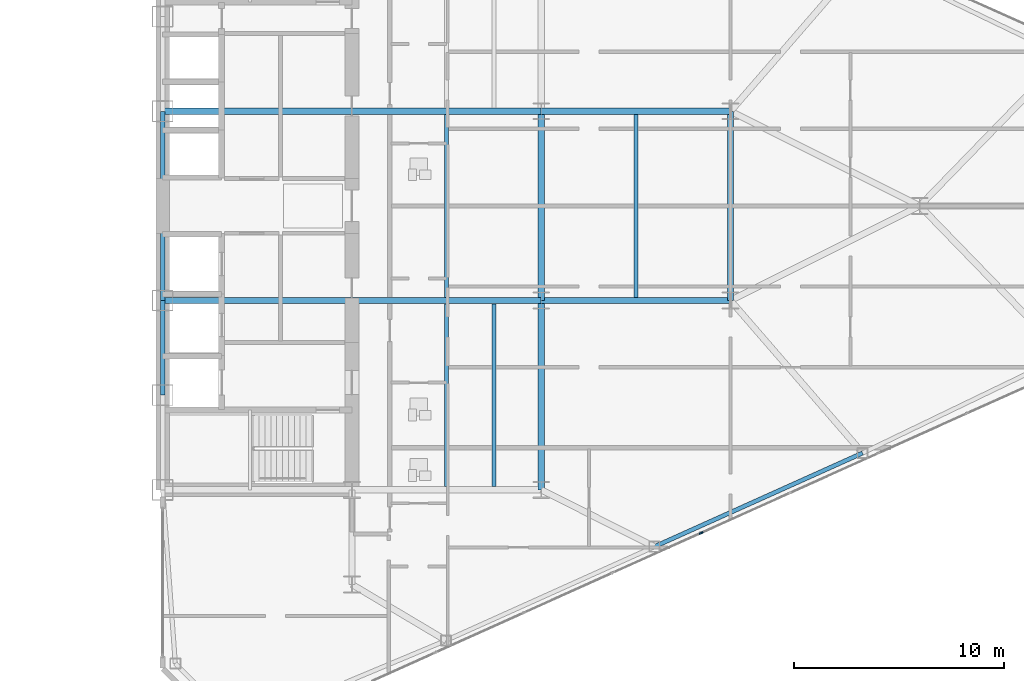
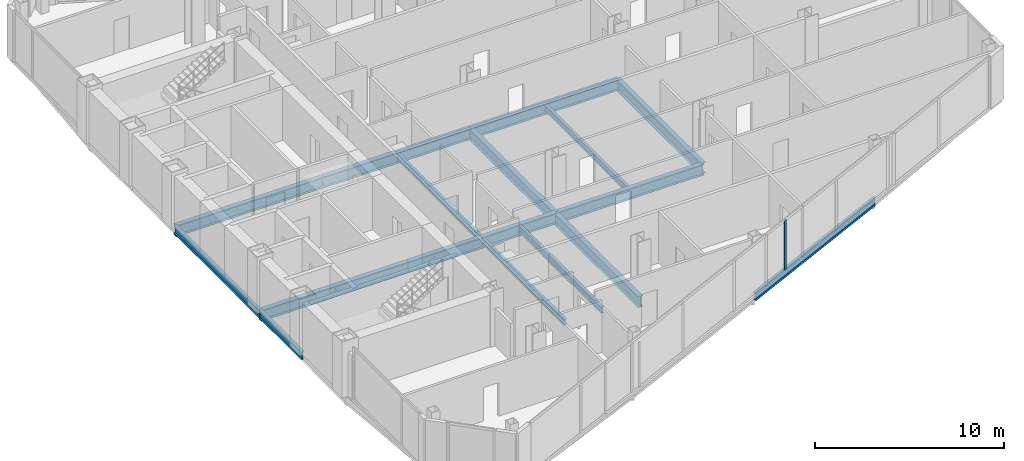
# One storey, part 12 of 27: 16 beams, 1 member, 1 element without a shape of its own.
"""IFC4 building model written with IfcOpenShell, lengths in metres."""

import ifcopenshell
import ifcopenshell.guid

model = None  # the IFC model being written
_history = None  # IfcOwnerHistory: only IFC2X3 demands one
_inside = {}  # id of a spatial element -> (the spatial element, [elements in it])
_under = {}  # id of a project, library or spatial element -> (it, [spatial elements below it])
_declared = {}  # id of a project -> (the project, [libraries it declares])
_typed = {}  # id of a type object -> (the type object, [elements of that type])
_made_of = {}  # id of a material, layer set ... -> (it, [elements and type objects made of it])


def new_model(schema):
    """Start an empty IFC model of exactly this schema.

    Asked for "IFC4X3", IfcOpenShell would pick the latest addendum, in which some entities
    have other attributes; the version numbers below select the first issue.
    IFC2X3 requires an IfcOwnerHistory on every rooted entity: one is made here for all.
    """
    global model, _history
    if schema == "IFC4X3":
        model = ifcopenshell.file(schema_version=(4, 3, 0, 0))
    else:
        model = ifcopenshell.file(schema=schema)
    _inside.clear()
    _under.clear()
    _declared.clear()
    _typed.clear()
    _made_of.clear()
    _history = None
    if model.schema == "IFC2X3":
        org = make("IfcOrganization", Name="unknown")
        user = make(
            "IfcPersonAndOrganization",
            ThePerson=make("IfcPerson", FamilyName="unknown"),
            TheOrganization=org,
        )
        app = make(
            "IfcApplication",
            ApplicationDeveloper=org,
            Version="unknown",
            ApplicationFullName="unknown",
            ApplicationIdentifier="unknown",
        )
        _history = make(
            "IfcOwnerHistory",
            OwningUser=user,
            OwningApplication=app,
            ChangeAction="ADDED",
            CreationDate=0,
        )
    return model


def make(cls, **values):
    """One entity of the class cls with the attributes given. An attribute that is None is left unset."""
    return model.create_entity(
        cls, **{name: value for name, value in values.items() if value is not None}
    )


def rooted(cls, **values):
    """An entity with a GlobalId (a new one), such as an element, a storey or a relation."""
    return make(cls, GlobalId=ifcopenshell.guid.new(), OwnerHistory=_history, **values)


def si_unit(unit_type, name, prefix=None):
    """IfcSIUnit, for example si_unit("LENGTHUNIT", "METRE", prefix="MILLI")."""
    return make("IfcSIUnit", UnitType=unit_type, Prefix=prefix, Name=name)


def assignment(units):
    """IfcUnitAssignment: the units of a project."""
    return None if units is None else make("IfcUnitAssignment", Units=units)


def point(xyz):
    """IfcCartesianPoint."""
    return None if xyz is None else make("IfcCartesianPoint", Coordinates=xyz)


def direction(xyz):
    """IfcDirection."""
    return None if xyz is None else make("IfcDirection", DirectionRatios=xyz)


def frame(location, z_axis=None, x_axis=None):
    """IfcAxis2Placement3D, a coordinate frame: its origin and axes. An axis left out is left unset."""
    return make(
        "IfcAxis2Placement3D",
        Location=point(location),
        Axis=direction(z_axis),
        RefDirection=direction(x_axis),
    )


def frame_2d(location, x_axis=None):
    """IfcAxis2Placement2D, a coordinate frame in the plane: its origin and x axis."""
    return make(
        "IfcAxis2Placement2D", Location=point(location), RefDirection=direction(x_axis)
    )


def origin():
    """The frame at (0, 0, 0) with its axes left unset."""
    return frame((0.0, 0.0, 0.0))


def origin_2d():
    """The frame at (0, 0) in the plane with its x axis left unset."""
    return frame_2d((0.0, 0.0))


def place(relative_to, where):
    """IfcLocalPlacement: puts the frame where relative to a parent placement (None: the world)."""
    return make(
        "IfcLocalPlacement", PlacementRelTo=relative_to, RelativePlacement=where
    )


def context(
    kind, dimensions, precision=None, world=None, true_north=None, identifier=None
):
    """IfcGeometricRepresentationContext, for example the 3D "Model" context."""
    return make(
        "IfcGeometricRepresentationContext",
        ContextIdentifier=identifier,
        ContextType=kind,
        CoordinateSpaceDimension=dimensions,
        Precision=precision,
        WorldCoordinateSystem=world,
        TrueNorth=true_north,
    )


def subcontext(parent, identifier, kind, view, scale=None):
    """IfcGeometricRepresentationSubContext, for example "Body" below "Model"."""
    return make(
        "IfcGeometricRepresentationSubContext",
        ContextIdentifier=identifier,
        ContextType=kind,
        ParentContext=parent,
        TargetScale=scale,
        TargetView=view,
    )


def project(units=None, contexts=None):
    """IfcProject with its units and contexts."""
    return rooted(
        "IfcProject",
        Name="project",
        RepresentationContexts=contexts,
        UnitsInContext=assignment(units),
    )


def spatial(cls, under=None, at=None, **own):
    """A site, building, storey or space (cls), placed at a placement, below another one or the project."""
    s = rooted(cls, ObjectPlacement=at, **own)
    if under is not None:
        _under.setdefault(under.id(), (under, []))[1].append(s)
    return s


def profile(cls, at=None, kind="AREA", **sizes):
    """A parametric profile (cls). Its sizes go by their IFC names, for example OverallWidth=200.0."""
    return make(cls, ProfileType=kind, Position=at, **sizes)


def rectangle(**sizes):
    """IfcRectangleProfileDef."""
    return profile("IfcRectangleProfileDef", **sizes)


def i_section(**sizes):
    """IfcIShapeProfileDef."""
    return profile("IfcIShapeProfileDef", **sizes)


def extrude(swept, where, along, depth):
    """IfcExtrudedAreaSolid: the profile swept, set in the frame where, extruded along a direction by depth."""
    return make(
        "IfcExtrudedAreaSolid",
        SweptArea=swept,
        Position=where,
        ExtrudedDirection=direction(along),
        Depth=depth,
    )


def shape(context_of_items, identifier, shape_type, items):
    """IfcShapeRepresentation: the items that make up one representation, for example the "Body"."""
    return make(
        "IfcShapeRepresentation",
        ContextOfItems=context_of_items,
        RepresentationIdentifier=identifier,
        RepresentationType=shape_type,
        Items=items,
    )


def source(mapping_origin, context_of_items, identifier, shape_type, items):
    """IfcRepresentationMap: a shape defined once, which mapped items show again and again."""
    return make(
        "IfcRepresentationMap",
        MappingOrigin=mapping_origin,
        MappedRepresentation=shape(context_of_items, identifier, shape_type, items),
    )


def transform(
    local_origin,
    x_axis=None,
    y_axis=None,
    z_axis=None,
    scale=None,
    scale2=None,
    scale3=None,
    uniform=True,
):
    """IfcCartesianTransformationOperator3D, or its non-uniform kind. x_axis, y_axis, z_axis: its Axis1, 2, 3."""
    if uniform:
        return make(
            "IfcCartesianTransformationOperator3D",
            Axis1=direction(x_axis),
            Axis2=direction(y_axis),
            LocalOrigin=point(local_origin),
            Scale=scale,
            Axis3=direction(z_axis),
        )
    return make(
        "IfcCartesianTransformationOperator3DnonUniform",
        Axis1=direction(x_axis),
        Axis2=direction(y_axis),
        LocalOrigin=point(local_origin),
        Scale=scale,
        Axis3=direction(z_axis),
        Scale2=scale2,
        Scale3=scale3,
    )


def mapped(mapping_source, mapping_target):
    """IfcMappedItem: shows the shape of a source again, moved by a transform."""
    return make(
        "IfcMappedItem", MappingSource=mapping_source, MappingTarget=mapping_target
    )


def material(Name=None, Category=None):
    """IfcMaterial."""
    return make("IfcMaterial", Name=Name, Category=Category)


def layer(
    of_material, thickness, ventilated=None, Name=None, Category=None, Priority=None
):
    """IfcMaterialLayer: one layer of a wall or slab, of a material (None: an air gap)."""
    return make(
        "IfcMaterialLayer",
        Material=of_material,
        LayerThickness=thickness,
        IsVentilated=ventilated,
        Name=Name,
        Category=Category,
        Priority=Priority,
    )


def layer_set(layers, Name=None):
    """IfcMaterialLayerSet."""
    return make("IfcMaterialLayerSet", MaterialLayers=layers, LayerSetName=Name)


def material_profile(
    of_material, cross_section, Name=None, Category=None, Priority=None
):
    """IfcMaterialProfile: a cross section and its material."""
    return make(
        "IfcMaterialProfile",
        Name=Name,
        Material=of_material,
        Profile=cross_section,
        Priority=Priority,
        Category=Category,
    )


def profile_set(profiles, Name=None, composite=None):
    """IfcMaterialProfileSet."""
    return make(
        "IfcMaterialProfileSet",
        Name=Name,
        MaterialProfiles=profiles,
        CompositeProfile=composite,
    )


def made_of(thing, what):
    """Note that an element or type object is made of a material, layer set ...; save() writes the relation."""
    if what is not None:
        _made_of.setdefault(what.id(), (what, []))[1].append(thing)
    return thing


def type_object(cls, material=None, **own):
    """A type object (cls), such as IfcWallType, which elements share."""
    return made_of(rooted(cls, **own), material)


def type_shapes(of_type, sources):
    """Give a type object the sources (RepresentationMaps) that its elements show as mapped items."""
    of_type.RepresentationMaps = sources


def element(
    cls,
    number,
    at=None,
    inside=None,
    cuts=None,
    type_object=None,
    material=None,
    context=None,
    identifier="Body",
    shape_type=None,
    held_by="IfcProductDefinitionShape",
    body=None,
    shapes=None,
    **own,
):
    """One element of the class cls, such as IfcWall. Its Tag is "e" and its number.

    at: its placement. inside: the storey or other place that contains it. cuts: it is an
    opening in that element (IfcRelVoidsElement). A single representation is given by context,
    identifier, shape_type and body (its items); several are given by shapes. held_by: the class
    of the entity that holds the representations. save() writes the other relations.
    """
    e = rooted(cls, Tag="e%d" % number, ObjectPlacement=at, **own)
    if body is not None:
        shapes = [shape(context, identifier, shape_type, body)]
    if shapes is not None:
        e.Representation = make(held_by, Representations=shapes)
    if inside is not None:
        _inside.setdefault(inside.id(), (inside, []))[1].append(e)
    if cuts is not None:
        rooted(
            "IfcRelVoidsElement", RelatingBuildingElement=cuts, RelatedOpeningElement=e
        )
    if type_object is not None:
        _typed.setdefault(type_object.id(), (type_object, []))[1].append(e)
    return made_of(e, material)


def aggregate(whole, parts):
    """IfcRelAggregates: a whole, such as a stair, and the parts it consists of."""
    return rooted("IfcRelAggregates", RelatingObject=whole, RelatedObjects=parts)


def save(model, path):
    """Write the relations noted so far, then the file.

    IfcRelAggregates (storeys below a building ...), IfcRelContainedInSpatialStructure (elements
    in a storey), IfcRelDefinesByType, IfcRelAssociatesMaterial and IfcRelDeclares: one each for
    every whole, place, type object, material and project.
    """
    for whole, parts in _under.values():
        aggregate(whole, parts)
    for where, things in _inside.values():
        rooted(
            "IfcRelContainedInSpatialStructure",
            RelatedElements=things,
            RelatingStructure=where,
        )
    for kind, things in _typed.values():
        rooted("IfcRelDefinesByType", RelatedObjects=things, RelatingType=kind)
    for what, things in _made_of.values():
        rooted("IfcRelAssociatesMaterial", RelatedObjects=things, RelatingMaterial=what)
    for by, libraries in _declared.values():
        rooted("IfcRelDeclares", RelatingContext=by, RelatedDefinitions=libraries)
    model.write(path)


model = new_model("IFC4")

# Units and contexts
model_context = context("Model", 3, precision=1e-05, world=origin(), true_north=direction((0.0, 1.0)))
body_context = subcontext(model_context, "Body", "Model", "MODEL_VIEW")
ifc_project = project(units=[si_unit("LENGTHUNIT", "METRE"), si_unit("AREAUNIT", "SQUARE_METRE"), si_unit("VOLUMEUNIT", "CUBIC_METRE"), si_unit("PLANEANGLEUNIT", "RADIAN"), si_unit("MASSUNIT", "GRAM", prefix="KILO")], contexts=[model_context])

# Site, building, storey
site_placement = place(None, origin())
site = spatial("IfcSite", under=ifc_project, at=site_placement, CompositionType="ELEMENT")
building_placement = place(site_placement, origin())
building = spatial("IfcBuilding", under=site, at=building_placement, Name="Seokmaru Belvedere", CompositionType="ELEMENT")
storey_placement = place(building_placement, frame((0.0, 0.0, 83.699951171875)))
storey = spatial("IfcBuildingStorey", under=building, at=storey_placement, Name="L22", CompositionType="ELEMENT", Elevation=83.699951171875)

# Beams
ifc_material_1 = material(Name="Steel SM355 (355 MPa)", Category="steel")
ifc_material_profile_1 = material_profile(ifc_material_1, i_section(OverallWidth=0.199951171875, OverallDepth=0.5, WebThickness=0.010009765625, FlangeThickness=0.01611328125, at=origin_2d()), Name="H-500x200x10x16")
ifc_profile_set_1 = profile_set([ifc_material_profile_1], Name="Steel SM355 (355 MPa)")
beam_type_1 = type_object("IfcBeamType", Name="Perimeter Spandrel Beam H-500", PredefinedType="SPANDREL", material=ifc_profile_set_1)
shared_shape_1 = source(origin(), body_context, "Body", "SweptSolid", [
    extrude(i_section(OverallWidth=0.199951171875, OverallDepth=0.5, WebThickness=0.010009765625, FlangeThickness=0.01611328125, at=origin_2d()), origin(), (0.0, 0.0, 1.0), 4.5),
])
beam_1_placement = place(storey_placement, frame((27.5, -9.0, -0.469970703125), z_axis=(0.0, 1.0, 0.0), x_axis=(-1.0, 0.0, 0.0)))
element("IfcBeam", 1, at=beam_1_placement, inside=storey, type_object=beam_type_1, Name="L22 E Portal Spine Spandrel 2", PredefinedType="SPANDREL", context=body_context, shape_type="MappedRepresentation", body=[
    mapped(shared_shape_1, transform((0.0, 0.0, 0.0), scale=1.0)),
])
shared_shape_2 = source(origin(), body_context, "Body", "SweptSolid", [
    extrude(i_section(OverallWidth=0.199951171875, OverallDepth=0.5, WebThickness=0.010009765625, FlangeThickness=0.01611328125, at=origin_2d()), origin(), (0.0, 0.0, 1.0), 9.0),
])
beam_2_placement = place(storey_placement, frame((27.5, -4.5, -0.469970703125), z_axis=(0.0, 1.0, 0.0), x_axis=(-1.0, 0.0, 0.0)))
element("IfcBeam", 2, at=beam_2_placement, inside=storey, type_object=beam_type_1, Name="L22 E Portal Spine Spandrel 3", PredefinedType="SPANDREL", context=body_context, shape_type="MappedRepresentation", body=[
    mapped(shared_shape_2, transform((0.0, 0.0, 0.0), scale=1.0)),
])
ifc_material_profile_2 = material_profile(ifc_material_1, i_section(OverallWidth=0.300048828125, OverallDepth=0.699951171875, WebThickness=0.012939453125, FlangeThickness=0.02392578125, at=origin_2d()), Name="H-700x300x13x24")
ifc_profile_set_2 = profile_set([ifc_material_profile_2], Name="Steel SM355 (355 MPa)")
beam_type_2 = type_object("IfcBeamType", Name="Primary Floor Girder H-700", PredefinedType="BEAM", material=ifc_profile_set_2)
shared_shape_3 = source(origin(), body_context, "Body", "SweptSolid", [
    extrude(i_section(OverallWidth=0.300048828125, OverallDepth=0.699951171875, WebThickness=0.012939453125, FlangeThickness=0.02392578125, at=origin_2d()), origin(), (0.0, 0.0, 1.0), 9.0),
])
type_shapes(beam_type_2, [shared_shape_3])
for number, where, z_axis, x_axis, name in (
    (3, (45.5, -13.5, -0.570068359375), (0.0, 1.0, 0.0), (-1.0, 0.0, 0.0), "L22 E Interior Grid Girder 1"),
    (4, (45.5, -4.5, -0.570068359375), (0.0, 1.0, 0.0), (-1.0, 0.0, 0.0), "L22 E Interior Grid Girder 2"),
    (5, (27.5, -4.5, -0.570068359375), (1.0, 0.0, 0.0), (0.0, 1.0, 0.0), "L22 E Core Tie Girder 2"),
    (6, (36.5, -4.5, -0.570068359375), (1.0, 0.0, 0.0), (0.0, 1.0, 0.0), "L22 E Wing Primary Girder 2"),
    (7, (27.5, 4.5, -0.570068359375), (1.0, 0.0, 0.0), (0.0, 1.0, 0.0), "L22 E Core Tie Girder 3"),
    (8, (36.5, 4.5, -0.570068359375), (1.0, 0.0, 0.0), (0.0, 1.0, 0.0), "L22 E Wing Primary Girder 3"),
    (9, (45.5, -4.5, -0.570068359375), (1.0, 0.0, 0.0), (0.0, 1.0, 0.0), "L22 E Outer Wing Girder 1"),
    (10, (45.5, 4.5, -0.570068359375), (1.0, 0.0, 0.0), (0.0, 1.0, 0.0), "L22 E Outer Wing Girder 2"),
    (11, (54.5, -4.5, -0.570068359375), (0.0, 1.0, 0.0), (-1.0, 0.0, 0.0), "L22 E Apex Frame Girder"),
):
    element("IfcBeam", number, at=place(storey_placement, frame(where, z_axis=z_axis, x_axis=x_axis)), inside=storey, type_object=beam_type_2, Name=name, PredefinedType="BEAM", context=body_context, shape_type="MappedRepresentation", body=[
        mapped(shared_shape_3, transform((0.0, 0.0, 0.0), scale=1.0)),
    ])
ifc_material_profile_3 = material_profile(ifc_material_1, i_section(OverallWidth=0.18505859375, OverallDepth=0.389892578125, WebThickness=0.008056640625, FlangeThickness=0.011962890625, at=origin_2d()), Name="H-390x185x8x12")
ifc_profile_set_3 = profile_set([ifc_material_profile_3], Name="Steel SM355 (355 MPa)")
beam_type_3 = type_object("IfcBeamType", Name="Secondary Floor Joist H-350", PredefinedType="JOIST", material=ifc_profile_set_3)
shared_shape_4 = source(origin(), body_context, "Body", "SweptSolid", [
    extrude(i_section(OverallWidth=0.18505859375, OverallDepth=0.389892578125, WebThickness=0.008056640625, FlangeThickness=0.011962890625, at=origin_2d()), origin(), (0.0, 0.0, 1.0), 8.68994140625),
])
type_shapes(beam_type_3, [shared_shape_4])
for number, where, z_axis, x_axis, name in (
    (12, (43.25, -13.344970703125, -0.4150390625), (0.0, 1.0, 0.0), (-1.0, 0.0, 0.0), "L22 E Wing Inner Secondary Joist 1"),
    (13, (41.0, -13.344970703125, -0.4150390625), (0.0, 1.0, 0.0), (-1.0, 0.0, 0.0), "L22 E Secondary Floor Joist 1"),
    (14, (41.0, -4.344970703125, -0.4150390625), (0.0, 1.0, 0.0), (-1.0, 0.0, 0.0), "L22 E Secondary Floor Joist 2"),
    (15, (50.0, -4.344970703125, -0.4150390625), (0.0, 1.0, 0.0), (-1.0, 0.0, 0.0), "L22 E Outer Bay Secondary Joist"),
):
    element("IfcBeam", number, at=place(storey_placement, frame(where, z_axis=z_axis, x_axis=x_axis)), inside=storey, type_object=beam_type_3, Name=name, PredefinedType="JOIST", context=body_context, shape_type="MappedRepresentation", body=[
        mapped(shared_shape_4, transform((0.0, 0.0, 0.0), scale=1.0)),
    ])
shared_shape_5 = source(origin(), body_context, "Body", "SweptSolid", [
    extrude(i_section(OverallWidth=0.199951171875, OverallDepth=0.5, WebThickness=0.010009765625, FlangeThickness=0.01611328125, at=origin_2d()), origin(), (0.0, 0.0, 1.0), 10.85888671875),
])
type_shapes(beam_type_1, [shared_shape_1, shared_shape_2, shared_shape_5])
beam_3_placement = place(storey_placement, frame((50.875, -16.205322265625, -0.469970703125), z_axis=(0.911925291223, 0.410356263785, 0.0), x_axis=(-0.410356263785, 0.911925291223, 0.0)))
element("IfcBeam", 16, at=beam_3_placement, inside=storey, type_object=beam_type_1, Name="L22 E Faceted Flank Spandrel S-3", PredefinedType="SPANDREL", context=body_context, shape_type="MappedRepresentation", body=[
    mapped(shared_shape_5, transform((0.0, 0.0, 0.0), scale=1.0)),
])

# Curtain wall, member
ifc_material_2 = material(Name="Bronze Triple Insulating Glass", Category="glass")
ifc_layer = layer(ifc_material_2, 0.195068359375)
ifc_layer_set = layer_set([ifc_layer], Name="Bronze Triple Insulating Glass")
curtain_wall_type = type_object("IfcCurtainWallType", Name="Lower-Mid Tapered Curtain Wall System CW-3", PredefinedType="NOTDEFINED", material=ifc_layer_set)
curtain_wall_placement = place(storey_placement, origin())
curtain_wall = element("IfcCurtainWall", 17, at=curtain_wall_placement, inside=storey, type_object=curtain_wall_type, Name="L22 Curtain Wall EF1", PredefinedType="NOTDEFINED")
ifc_material_3 = material(Name="Anodised Bronze Aluminium", Category="aluminium")
ifc_material_profile_4 = material_profile(ifc_material_3, rectangle(XDim=0.070068359375, YDim=0.195068359375, at=origin_2d()), Name="CW-M-70x195")
ifc_profile_set_4 = profile_set([ifc_material_profile_4], Name="Anodised Bronze Aluminium")
member_type = type_object("IfcMemberType", Name="Bronze Unitised Mullion 70x195", PredefinedType="MULLION", material=ifc_profile_set_4)
shared_shape_6 = source(origin(), body_context, "Body", "SweptSolid", [
    extrude(rectangle(XDim=0.070068359375, YDim=0.195068359375, at=origin_2d()), origin(), (0.0, 0.0, 1.0), 3.199951171875),
])
type_shapes(member_type, [shared_shape_6])
member_placement = place(storey_placement, frame((53.105712890625, -15.552490234375, 0.070068359375), z_axis=(0.0, 0.0, 1.0), x_axis=(-0.41036554765, 0.91192111353, 0.0)))
member = element("IfcMember", 18, at=member_placement, type_object=member_type, Name="CW:L22:EF1 Mullion 6", PredefinedType="MULLION", context=body_context, shape_type="MappedRepresentation", body=[
    mapped(shared_shape_6, transform((0.0, 0.0, 0.0), scale=1.0)),
])
aggregate(curtain_wall, [member])

save(model, "model.ifc")
